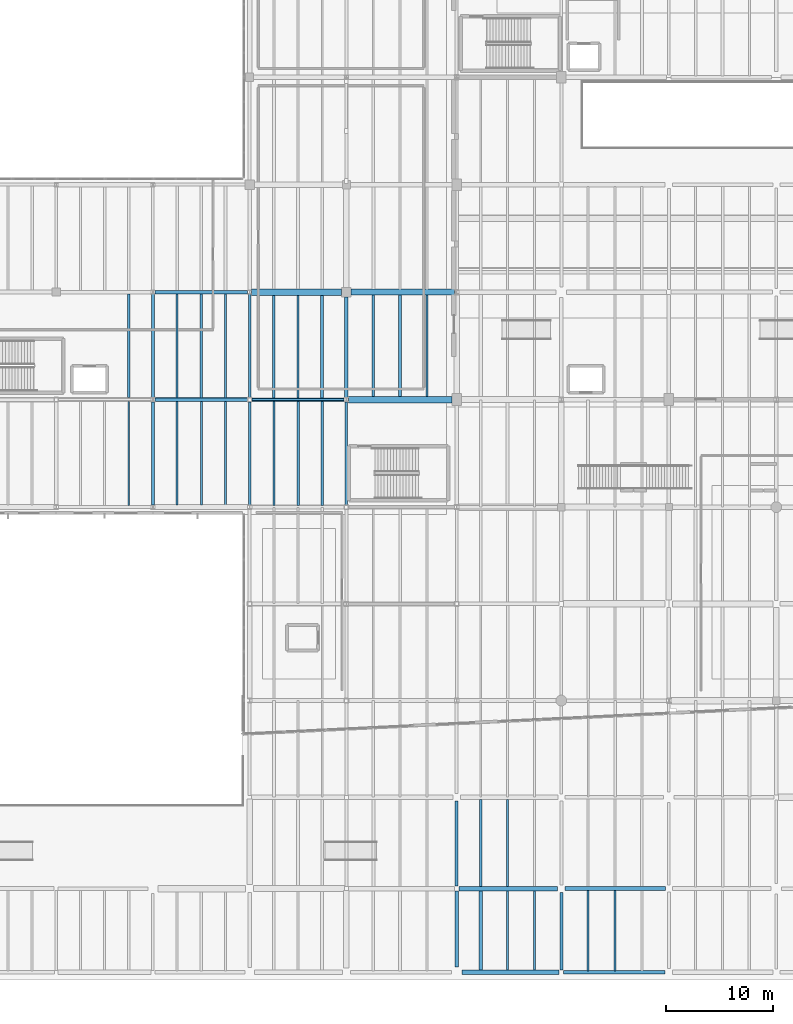
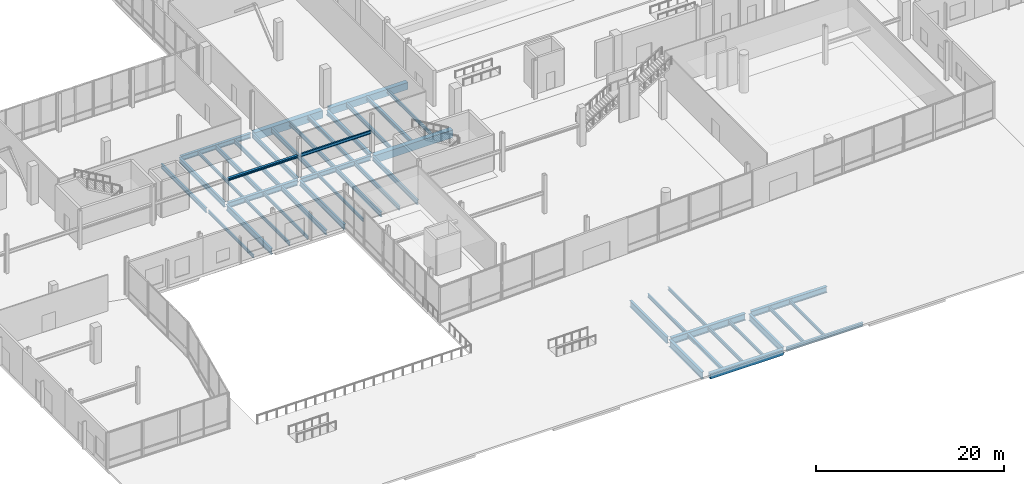
# One storey, part 25 of 88: 45 beams.
"""IFC4 building model written with IfcOpenShell, lengths in metres."""

from ifc_helpers import new_model, si_unit, direction, frame, origin, origin_2d, place, context, subcontext, project, spatial, rectangle, i_section, extrude, material, material_profile, profile_set, type_object, element, save


model = new_model("IFC4")

# Units and contexts
model_context = context("Model", 3, precision=1e-05, world=origin(), true_north=direction((0.0, 1.0)))
body_context = subcontext(model_context, "Body", "Model", "MODEL_VIEW")
ifc_project = project(units=[si_unit("LENGTHUNIT", "METRE"), si_unit("AREAUNIT", "SQUARE_METRE"), si_unit("VOLUMEUNIT", "CUBIC_METRE"), si_unit("PLANEANGLEUNIT", "RADIAN"), si_unit("MASSUNIT", "GRAM", prefix="KILO")], contexts=[model_context])

# Site, building, storey
site_placement = place(None, origin())
site = spatial("IfcSite", under=ifc_project, at=site_placement, CompositionType="ELEMENT")
building_placement = place(site_placement, origin())
building = spatial("IfcBuilding", under=site, at=building_placement, Name="Trimount Lyric Opera House", CompositionType="ELEMENT")
storey_placement = place(building_placement, origin())
storey = spatial("IfcBuildingStorey", under=building, at=storey_placement, Name="L00", CompositionType="ELEMENT", Elevation=0.0)

# Beams
ifc_material_1 = material(Name="Steel ASTM A992 Grade 50", Category="steel")
ifc_material_profile_1 = material_profile(ifc_material_1, i_section(OverallWidth=0.304931640625, OverallDepth=0.9189453125, WebThickness=0.017333984375, FlangeThickness=0.02783203125, FilletRadius=0.02001953125, at=origin_2d()), Name="W36X170")
ifc_profile_set_1 = profile_set([ifc_material_profile_1], Name="Steel ASTM A992 Grade 50")
beam_type_1 = type_object("IfcBeamType", Name="B-03", PredefinedType="BEAM", material=ifc_profile_set_1)
beam_1_placement = place(storey_placement, frame((64.260009765625, 1.219970703125, -0.699462890625), z_axis=(0.0, 1.0, 0.0), x_axis=(-1.0, 0.0, 0.0)))
element("IfcBeam", 1, at=beam_1_placement, inside=storey, type_object=beam_type_1, Name="L00 girder Y-0309", PredefinedType="BEAM", context=body_context, shape_type="SweptSolid", body=[
    extrude(i_section(OverallWidth=0.304931640625, OverallDepth=0.9189453125, WebThickness=0.017333984375, FlangeThickness=0.02783203125, FilletRadius=0.02001953125, at=origin_2d()), origin(), (0.0, 0.0, 1.0), 7.047607421875),
])
ifc_material_2 = material(Name="Steel ASTM A992 Grade 50", Category="steel")
ifc_material_profile_2 = material_profile(ifc_material_2, i_section(OverallWidth=0.40087890625, OverallDepth=0.861083984375, WebThickness=0.019775390625, FlangeThickness=0.032470703125, FilletRadius=0.02001953125, at=origin_2d()), Name="W33X221")
ifc_profile_set_2 = profile_set([ifc_material_profile_2], Name="Steel ASTM A992 Grade 50")
beam_type_2 = type_object("IfcBeamType", Name="B-04", PredefinedType="BEAM", material=ifc_profile_set_2)
beam_2_placement = place(storey_placement, frame((64.470947265625, 8.5, -0.67041015625), z_axis=(1.0, 0.0, 0.0), x_axis=(0.0, 1.0, 0.0)))
element("IfcBeam", 2, at=beam_2_placement, inside=storey, type_object=beam_type_2, Name="L00 girder X-0027", PredefinedType="BEAM", context=body_context, shape_type="SweptSolid", body=[
    extrude(i_section(OverallWidth=0.40087890625, OverallDepth=0.861083984375, WebThickness=0.019775390625, FlangeThickness=0.032470703125, FilletRadius=0.02001953125, at=origin_2d()), origin(), (0.0, 0.0, 1.0), 9.178955078125),
])
ifc_material_3 = material(Name="Steel ASTM A992 Grade 50", Category="steel")
ifc_material_profile_3 = material_profile(ifc_material_3, i_section(OverallWidth=0.2919921875, OverallDepth=0.845947265625, WebThickness=0.015380859375, FlangeThickness=0.0244140625, FilletRadius=0.01806640625, at=origin_2d()), Name="W33X141")
ifc_profile_set_3 = profile_set([ifc_material_profile_3], Name="Steel ASTM A992 Grade 50")
beam_type_3 = type_object("IfcBeamType", Name="B-05", PredefinedType="BEAM", material=ifc_profile_set_3)
beam_3_placement = place(storey_placement, frame((64.260009765625, 8.732421875, -0.6630859375), z_axis=(0.0, 1.0, 0.0), x_axis=(-1.0, 0.0, 0.0)))
element("IfcBeam", 3, at=beam_3_placement, inside=storey, type_object=beam_type_3, Name="L00 girder Y-0310", PredefinedType="BEAM", context=body_context, shape_type="SweptSolid", body=[
    extrude(i_section(OverallWidth=0.2919921875, OverallDepth=0.845947265625, WebThickness=0.015380859375, FlangeThickness=0.0244140625, FilletRadius=0.01806640625, at=origin_2d()), origin(), (0.0, 0.0, 1.0), 7.91748046875),
])
beam_4_placement = place(storey_placement, frame((74.0, 0.952392578125, -0.6630859375), z_axis=(0.0, 1.0, 0.0), x_axis=(-1.0, 0.0, 0.0)))
element("IfcBeam", 4, at=beam_4_placement, inside=storey, type_object=beam_type_3, Name="L00 girder Y-0321", PredefinedType="BEAM", context=body_context, shape_type="SweptSolid", body=[
    extrude(i_section(OverallWidth=0.2919921875, OverallDepth=0.845947265625, WebThickness=0.015380859375, FlangeThickness=0.0244140625, FilletRadius=0.01806640625, at=origin_2d()), origin(), (0.0, 0.0, 1.0), 7.197509765625),
])
ifc_material_4 = material(Name="Steel ASTM A992 Grade 50", Category="steel")
ifc_material_profile_4 = material_profile(ifc_material_4, i_section(OverallWidth=0.382080078125, OverallDepth=0.779052734375, WebThickness=0.01806640625, FlangeThickness=0.0302734375, FilletRadius=0.01904296875, at=origin_2d()), Name="W30X191")
ifc_profile_set_4 = profile_set([ifc_material_profile_4], Name="Steel ASTM A992 Grade 50")
beam_type_4 = type_object("IfcBeamType", Name="B-06", PredefinedType="BEAM", material=ifc_profile_set_4)
beam_5_placement = place(storey_placement, frame((74.35009765625, 8.5, -0.62939453125), z_axis=(1.0, 0.0, 0.0), x_axis=(0.0, 1.0, 0.0)))
element("IfcBeam", 5, at=beam_5_placement, inside=storey, type_object=beam_type_4, Name="L00 girder X-0028", PredefinedType="BEAM", context=body_context, shape_type="SweptSolid", body=[
    extrude(i_section(OverallWidth=0.382080078125, OverallDepth=0.779052734375, WebThickness=0.01806640625, FlangeThickness=0.0302734375, FilletRadius=0.01904296875, at=origin_2d()), origin(), (0.0, 0.0, 1.0), 9.324951171875),
])
ifc_material_5 = material(Name="Steel ASTM A992 Grade 50", Category="steel")
ifc_material_profile_5 = material_profile(ifc_material_5, i_section(OverallWidth=0.26708984375, OverallDepth=0.761962890625, WebThickness=0.014404296875, FlangeThickness=0.021484375, FilletRadius=0.01708984375, at=origin_2d()), Name="W30X116")
ifc_profile_set_5 = profile_set([ifc_material_profile_5], Name="Steel ASTM A992 Grade 50")
beam_type_5 = type_object("IfcBeamType", Name="B-07", PredefinedType="BEAM", material=ifc_profile_set_5)
beam_6_placement = place(storey_placement, frame((36.0, 44.203125, -0.73095703125), z_axis=(0.0, 1.0, 0.0), x_axis=(-1.0, 0.0, 0.0)))
element("IfcBeam", 6, at=beam_6_placement, inside=storey, type_object=beam_type_5, Name="L00 girder Y-0278", PredefinedType="BEAM", context=body_context, shape_type="SweptSolid", body=[
    extrude(i_section(OverallWidth=0.26708984375, OverallDepth=0.761962890625, WebThickness=0.014404296875, FlangeThickness=0.021484375, FilletRadius=0.01708984375, at=origin_2d()), origin(), (0.0, 0.0, 1.0), 9.58837890625),
])
ifc_material_6 = material(Name="Steel ASTM A992 Grade 50", Category="steel")
ifc_material_profile_6 = material_profile(ifc_material_6, i_section(OverallWidth=0.35595703125, OverallDepth=0.700927734375, WebThickness=0.016845703125, FlangeThickness=0.02734375, FilletRadius=0.01806640625, at=origin_2d()), Name="W27X161")
ifc_profile_set_6 = profile_set([ifc_material_profile_6], Name="Steel ASTM A992 Grade 50")
beam_type_6 = type_object("IfcBeamType", Name="B-08", PredefinedType="BEAM", material=ifc_profile_set_6)
beam_7_placement = place(storey_placement, frame((36.202880859375, 54.0, -0.700439453125), z_axis=(1.0, 0.0, 0.0), x_axis=(0.0, 1.0, 0.0)))
element("IfcBeam", 7, at=beam_7_placement, inside=storey, type_object=beam_type_6, Name="L00 girder X-0107", PredefinedType="BEAM", context=body_context, shape_type="SweptSolid", body=[
    extrude(i_section(OverallWidth=0.35595703125, OverallDepth=0.700927734375, WebThickness=0.016845703125, FlangeThickness=0.02734375, FilletRadius=0.01806640625, at=origin_2d()), origin(), (0.0, 0.0, 1.0), 8.593994140625),
])
ifc_material_7 = material(Name="Steel ASTM A992 Grade 50", Category="steel")
ifc_material_profile_7 = material_profile(ifc_material_7, i_section(OverallWidth=0.25390625, OverallDepth=0.68798828125, WebThickness=0.01318359375, FlangeThickness=0.02099609375, FilletRadius=0.01611328125, at=origin_2d()), Name="W27X102")
ifc_profile_set_7 = profile_set([ifc_material_profile_7], Name="Steel ASTM A992 Grade 50")
beam_type_7 = type_object("IfcBeamType", Name="B-09", PredefinedType="BEAM", material=ifc_profile_set_7)
beam_8_placement = place(storey_placement, frame((36.0, 54.20849609375, -0.694091796875), z_axis=(0.0, 1.0, 0.0), x_axis=(-1.0, 0.0, 0.0)))
element("IfcBeam", 8, at=beam_8_placement, inside=storey, type_object=beam_type_7, Name="L00 girder Y-0279", PredefinedType="BEAM", context=body_context, shape_type="SweptSolid", body=[
    extrude(i_section(OverallWidth=0.25390625, OverallDepth=0.68798828125, WebThickness=0.01318359375, FlangeThickness=0.02099609375, FilletRadius=0.01611328125, at=origin_2d()), origin(), (0.0, 0.0, 1.0), 9.613525390625),
])
beam_9_placement = place(storey_placement, frame((45.0, 44.20849609375, -0.694091796875), z_axis=(0.0, 1.0, 0.0), x_axis=(-1.0, 0.0, 0.0)))
element("IfcBeam", 9, at=beam_9_placement, inside=storey, type_object=beam_type_7, Name="L00 girder Y-0288", PredefinedType="BEAM", context=body_context, shape_type="SweptSolid", body=[
    extrude(i_section(OverallWidth=0.25390625, OverallDepth=0.68798828125, WebThickness=0.01318359375, FlangeThickness=0.02099609375, FilletRadius=0.01611328125, at=origin_2d()), origin(), (0.0, 0.0, 1.0), 9.58837890625),
])
ifc_material_8 = material(Name="Steel ASTM A992 Grade 50", Category="steel")
ifc_material_profile_8 = material_profile(ifc_material_8, i_section(OverallWidth=0.327880859375, OverallDepth=0.626953125, WebThickness=0.0166015625, FlangeThickness=0.027587890625, FilletRadius=0.01611328125, at=origin_2d()), Name="W24X146")
ifc_profile_set_8 = profile_set([ifc_material_profile_8], Name="Steel ASTM A992 Grade 50")
beam_type_8 = type_object("IfcBeamType", Name="B-10", PredefinedType="BEAM", material=ifc_profile_set_8)
beam_10_placement = place(storey_placement, frame((45.203125, 54.0, -0.66357421875), z_axis=(1.0, 0.0, 0.0), x_axis=(0.0, 1.0, 0.0)))
element("IfcBeam", 10, at=beam_10_placement, inside=storey, type_object=beam_type_8, Name="L00 girder X-0108", PredefinedType="BEAM", context=body_context, shape_type="SweptSolid", body=[
    extrude(i_section(OverallWidth=0.327880859375, OverallDepth=0.626953125, WebThickness=0.0166015625, FlangeThickness=0.027587890625, FilletRadius=0.01611328125, at=origin_2d()), origin(), (0.0, 0.0, 1.0), 8.593994140625),
])
beam_11_placement = place(storey_placement, frame((36.18408203125, 64.0, -0.66357421875), z_axis=(1.0, 0.0, 0.0), x_axis=(0.0, 1.0, 0.0)))
element("IfcBeam", 11, at=beam_11_placement, inside=storey, type_object=beam_type_8, Name="L00 girder X-0126", PredefinedType="BEAM", context=body_context, shape_type="SweptSolid", body=[
    extrude(i_section(OverallWidth=0.327880859375, OverallDepth=0.626953125, WebThickness=0.0166015625, FlangeThickness=0.027587890625, FilletRadius=0.01611328125, at=origin_2d()), origin(), (0.0, 0.0, 1.0), 8.62939453125),
])
ifc_material_9 = material(Name="Steel ASTM A992 Grade 50", Category="steel")
ifc_material_profile_9 = material_profile(ifc_material_9, i_section(OverallWidth=0.22998046875, OverallDepth=0.616943359375, WebThickness=0.01318359375, FlangeThickness=0.022216796875, FilletRadius=0.013916015625, at=origin_2d()), Name="W24X94")
ifc_profile_set_9 = profile_set([ifc_material_profile_9], Name="Steel ASTM A992 Grade 50")
beam_type_9 = type_object("IfcBeamType", Name="B-11", PredefinedType="BEAM", material=ifc_profile_set_9)
beam_12_placement = place(storey_placement, frame((45.0, 54.203125, -0.658447265625), z_axis=(0.0, 1.0, 0.0), x_axis=(-1.0, 0.0, 0.0)))
element("IfcBeam", 12, at=beam_12_placement, inside=storey, type_object=beam_type_9, Name="L00 girder Y-0289", PredefinedType="BEAM", context=body_context, shape_type="SweptSolid", body=[
    extrude(i_section(OverallWidth=0.22998046875, OverallDepth=0.616943359375, WebThickness=0.01318359375, FlangeThickness=0.022216796875, FilletRadius=0.013916015625, at=origin_2d()), origin(), (0.0, 0.0, 1.0), 9.61279296875),
])
beam_13_placement = place(storey_placement, frame((54.0, 44.203125, -0.658447265625), z_axis=(0.0, 1.0, 0.0), x_axis=(-1.0, 0.0, 0.0)))
element("IfcBeam", 13, at=beam_13_placement, inside=storey, type_object=beam_type_9, Name="L00 girder Y-0301", PredefinedType="BEAM", context=body_context, shape_type="SweptSolid", body=[
    extrude(i_section(OverallWidth=0.22998046875, OverallDepth=0.616943359375, WebThickness=0.01318359375, FlangeThickness=0.022216796875, FilletRadius=0.013916015625, at=origin_2d()), origin(), (0.0, 0.0, 1.0), 9.58837890625),
])
ifc_material_10 = material(Name="Steel ASTM A992 Grade 50", Category="steel")
ifc_material_profile_10 = material_profile(ifc_material_10, i_section(OverallWidth=0.31201171875, OverallDepth=0.5458984375, WebThickness=0.013916015625, FlangeThickness=0.022216796875, FilletRadius=0.014892578125, at=origin_2d()), Name="W21X111")
ifc_profile_set_10 = profile_set([ifc_material_profile_10], Name="Steel ASTM A992 Grade 50")
beam_type_10 = type_object("IfcBeamType", Name="B-12", PredefinedType="BEAM", material=ifc_profile_set_10)
beam_14_placement = place(storey_placement, frame((54.0, 54.20849609375, -0.623046875), z_axis=(0.0, 1.0, 0.0), x_axis=(-1.0, 0.0, 0.0)))
element("IfcBeam", 14, at=beam_14_placement, inside=storey, type_object=beam_type_10, Name="L00 girder Y-0302", PredefinedType="BEAM", context=body_context, shape_type="SweptSolid", body=[
    extrude(i_section(OverallWidth=0.31201171875, OverallDepth=0.5458984375, WebThickness=0.013916015625, FlangeThickness=0.022216796875, FilletRadius=0.014892578125, at=origin_2d()), origin(), (0.0, 0.0, 1.0), 9.341552734375),
])
ifc_material_11 = material(Name="Concrete C40/50", Category="concrete")
ifc_material_profile_11 = material_profile(ifc_material_11, rectangle(XDim=0.60009765625, YDim=1.0, at=origin_2d()), Name="RC600X1000")
ifc_profile_set_11 = profile_set([ifc_material_profile_11], Name="Concrete C40/50")
beam_type_11 = type_object("IfcBeamType", Name="B-13", PredefinedType="BEAM", material=ifc_profile_set_11)
beam_15_placement = place(storey_placement, frame((54.202880859375, 54.0, -0.89990234375), z_axis=(1.0, 0.0, 0.0), x_axis=(0.0, 1.0, 0.0)))
element("IfcBeam", 15, at=beam_15_placement, inside=storey, type_object=beam_type_11, Name="L00 girder X-0109", PredefinedType="BEAM", context=body_context, shape_type="SweptSolid", body=[
    extrude(rectangle(XDim=0.60009765625, YDim=1.0, at=origin_2d()), origin(), (0.0, 0.0, 1.0), 9.607177734375),
])
beam_16_placement = place(storey_placement, frame((45.1865234375, 64.0, -0.85009765625), z_axis=(1.0, 0.0, 0.0), x_axis=(0.0, 1.0, 0.0)))
element("IfcBeam", 16, at=beam_16_placement, inside=storey, type_object=beam_type_11, Name="L00 girder X-0127", PredefinedType="BEAM", context=body_context, shape_type="SweptSolid", body=[
    extrude(rectangle(XDim=0.60009765625, YDim=1.0, at=origin_2d()), origin(), (0.0, 0.0, 1.0), 8.363525390625),
])
ifc_material_12 = material(Name="Concrete C40/50", Category="concrete")
ifc_material_profile_12 = material_profile(ifc_material_12, rectangle(XDim=0.550048828125, YDim=0.89990234375, at=origin_2d()), Name="RC550X900")
ifc_profile_set_12 = profile_set([ifc_material_profile_12], Name="Concrete C40/50")
beam_type_12 = type_object("IfcBeamType", Name="B-14", PredefinedType="BEAM", material=ifc_profile_set_12)
beam_17_placement = place(storey_placement, frame((54.449951171875, 64.0, -0.85009765625), z_axis=(1.0, 0.0, 0.0), x_axis=(0.0, 1.0, 0.0)))
element("IfcBeam", 17, at=beam_17_placement, inside=storey, type_object=beam_type_12, Name="L00 girder X-0128", PredefinedType="BEAM", context=body_context, shape_type="SweptSolid", body=[
    extrude(rectangle(XDim=0.550048828125, YDim=0.89990234375, at=origin_2d()), origin(), (0.0, 0.0, 1.0), 9.59912109375),
])
ifc_material_13 = material(Name="Steel ASTM A992 Grade 50", Category="steel")
ifc_material_profile_13 = material_profile(ifc_material_13, i_section(OverallWidth=0.22802734375, OverallDepth=0.60205078125, WebThickness=0.010498046875, FlangeThickness=0.014892578125, FilletRadius=0.012939453125, at=origin_2d()), Name="W24X68")
ifc_profile_set_13 = profile_set([ifc_material_profile_13], Name="Steel ASTM A992 Grade 50")
beam_type_13 = type_object("IfcBeamType", Name="J-01", PredefinedType="BEAM", material=ifc_profile_set_13)
beam_18_placement = place(storey_placement, frame((33.75, 54.18701171875, -0.65087890625), z_axis=(0.0, 1.0, 0.0), x_axis=(-1.0, 0.0, 0.0)))
element("IfcBeam", 18, at=beam_18_placement, inside=storey, type_object=beam_type_13, Name="L00 composite floor joist 0088", PredefinedType="BEAM", context=body_context, shape_type="SweptSolid", body=[
    extrude(i_section(OverallWidth=0.22802734375, OverallDepth=0.60205078125, WebThickness=0.010498046875, FlangeThickness=0.014892578125, FilletRadius=0.012939453125, at=origin_2d()), origin(), (0.0, 0.0, 1.0), 9.638916015625),
])
beam_19_placement = place(storey_placement, frame((42.75, 44.220947265625, -0.65087890625), z_axis=(0.0, 1.0, 0.0), x_axis=(-1.0, 0.0, 0.0)))
element("IfcBeam", 19, at=beam_19_placement, inside=storey, type_object=beam_type_13, Name="L00 composite floor joist 0103", PredefinedType="BEAM", context=body_context, shape_type="SweptSolid", body=[
    extrude(i_section(OverallWidth=0.22802734375, OverallDepth=0.60205078125, WebThickness=0.010498046875, FlangeThickness=0.014892578125, FilletRadius=0.012939453125, at=origin_2d()), origin(), (0.0, 0.0, 1.0), 9.60498046875),
])
for number, where, z_axis, x_axis, name in (
    (20, (40.5, 54.174072265625, -0.65087890625), (0.0, 1.0, 0.0), (-1.0, 0.0, 0.0), "L00 composite floor joist 0105"),
    (21, (49.5, 44.174072265625, -0.65087890625), (0.0, 1.0, 0.0), (-1.0, 0.0, 0.0), "L00 composite floor joist 0131"),
):
    element("IfcBeam", number, at=place(storey_placement, frame(where, z_axis=z_axis, x_axis=x_axis)), inside=storey, type_object=beam_type_13, Name=name, PredefinedType="BEAM", context=body_context, shape_type="SweptSolid", body=[
        extrude(i_section(OverallWidth=0.22802734375, OverallDepth=0.60205078125, WebThickness=0.010498046875, FlangeThickness=0.014892578125, FilletRadius=0.012939453125, at=origin_2d()), origin(), (0.0, 0.0, 1.0), 9.666015625),
    ])
beam_20_placement = place(storey_placement, frame((47.25, 54.159912109375, -0.65087890625), z_axis=(0.0, 1.0, 0.0), x_axis=(-1.0, 0.0, 0.0)))
element("IfcBeam", 22, at=beam_20_placement, inside=storey, type_object=beam_type_13, Name="L00 composite floor joist 0133", PredefinedType="BEAM", context=body_context, shape_type="SweptSolid", body=[
    extrude(i_section(OverallWidth=0.22802734375, OverallDepth=0.60205078125, WebThickness=0.010498046875, FlangeThickness=0.014892578125, FilletRadius=0.012939453125, at=origin_2d()), origin(), (0.0, 0.0, 1.0), 9.544189453125),
])
ifc_material_14 = material(Name="Steel ASTM A992 Grade 50", Category="steel")
ifc_material_profile_14 = material_profile(ifc_material_14, i_section(OverallWidth=0.2099609375, OverallDepth=0.532958984375, WebThickness=0.01025390625, FlangeThickness=0.015625, FilletRadius=0.012939453125, at=origin_2d()), Name="W21X62")
ifc_profile_set_14 = profile_set([ifc_material_profile_14], Name="Steel ASTM A992 Grade 50")
beam_type_14 = type_object("IfcBeamType", Name="J-02", PredefinedType="BEAM", material=ifc_profile_set_14)
for number, where, z_axis, x_axis, name in (
    (23, (42.75, 54.174072265625, -0.616455078125), (0.0, 1.0, 0.0), (-1.0, 0.0, 0.0), "L00 composite floor joist 0106"),
    (24, (51.75, 44.174072265625, -0.616455078125), (0.0, 1.0, 0.0), (-1.0, 0.0, 0.0), "L00 composite floor joist 0132"),
):
    element("IfcBeam", number, at=place(storey_placement, frame(where, z_axis=z_axis, x_axis=x_axis)), inside=storey, type_object=beam_type_14, Name=name, PredefinedType="BEAM", context=body_context, shape_type="SweptSolid", body=[
        extrude(i_section(OverallWidth=0.2099609375, OverallDepth=0.532958984375, WebThickness=0.01025390625, FlangeThickness=0.015625, FilletRadius=0.012939453125, at=origin_2d()), origin(), (0.0, 0.0, 1.0), 9.666015625),
    ])
beam_21_placement = place(storey_placement, frame((49.5, 54.159912109375, -0.616455078125), z_axis=(0.0, 1.0, 0.0), x_axis=(-1.0, 0.0, 0.0)))
element("IfcBeam", 25, at=beam_21_placement, inside=storey, type_object=beam_type_14, Name="L00 composite floor joist 0134", PredefinedType="BEAM", context=body_context, shape_type="SweptSolid", body=[
    extrude(i_section(OverallWidth=0.2099609375, OverallDepth=0.532958984375, WebThickness=0.01025390625, FlangeThickness=0.015625, FilletRadius=0.012939453125, at=origin_2d()), origin(), (0.0, 0.0, 1.0), 9.544189453125),
])
beam_22_placement = place(storey_placement, frame((56.5, 54.2958984375, -0.616455078125), z_axis=(0.0, 1.0, 0.0), x_axis=(-1.0, 0.0, 0.0)))
element("IfcBeam", 26, at=beam_22_placement, inside=storey, type_object=beam_type_14, Name="L00 composite floor joist 0169", PredefinedType="BEAM", context=body_context, shape_type="SweptSolid", body=[
    extrude(i_section(OverallWidth=0.2099609375, OverallDepth=0.532958984375, WebThickness=0.01025390625, FlangeThickness=0.015625, FilletRadius=0.012939453125, at=origin_2d()), origin(), (0.0, 0.0, 1.0), 9.43310546875),
])
ifc_material_15 = material(Name="Steel ASTM A992 Grade 50", Category="steel")
ifc_material_profile_15 = material_profile(ifc_material_15, i_section(OverallWidth=0.281982421875, OverallDepth=0.467041015625, WebThickness=0.01220703125, FlangeThickness=0.01953125, FilletRadius=0.012939453125, at=origin_2d()), Name="W18X86")
ifc_profile_set_15 = profile_set([ifc_material_profile_15], Name="Steel ASTM A992 Grade 50")
beam_type_15 = type_object("IfcBeamType", Name="J-03", PredefinedType="BEAM", material=ifc_profile_set_15)
beam_23_placement = place(storey_placement, frame((51.75, 54.159912109375, -0.58349609375), z_axis=(0.0, 1.0, 0.0), x_axis=(-1.0, 0.0, 0.0)))
element("IfcBeam", 27, at=beam_23_placement, inside=storey, type_object=beam_type_15, Name="L00 composite floor joist 0135", PredefinedType="BEAM", context=body_context, shape_type="SweptSolid", body=[
    extrude(i_section(OverallWidth=0.281982421875, OverallDepth=0.467041015625, WebThickness=0.01220703125, FlangeThickness=0.01953125, FilletRadius=0.012939453125, at=origin_2d()), origin(), (0.0, 0.0, 1.0), 9.544189453125),
])
beam_24_placement = place(storey_placement, frame((59.0, 54.2958984375, -0.58349609375), z_axis=(0.0, 1.0, 0.0), x_axis=(-1.0, 0.0, 0.0)))
element("IfcBeam", 28, at=beam_24_placement, inside=storey, type_object=beam_type_15, Name="L00 composite floor joist 0170", PredefinedType="BEAM", context=body_context, shape_type="SweptSolid", body=[
    extrude(i_section(OverallWidth=0.281982421875, OverallDepth=0.467041015625, WebThickness=0.01220703125, FlangeThickness=0.01953125, FilletRadius=0.012939453125, at=origin_2d()), origin(), (0.0, 0.0, 1.0), 9.43310546875),
])
beam_25_placement = place(storey_placement, frame((66.5, 0.94091796875, -0.473388671875), z_axis=(0.0, 1.0, 0.0), x_axis=(-1.0, 0.0, 0.0)))
element("IfcBeam", 29, at=beam_25_placement, inside=storey, type_object=beam_type_15, Name="L00 composite floor joist 0184", PredefinedType="BEAM", context=body_context, shape_type="SweptSolid", body=[
    extrude(i_section(OverallWidth=0.281982421875, OverallDepth=0.467041015625, WebThickness=0.01220703125, FlangeThickness=0.01953125, FilletRadius=0.012939453125, at=origin_2d()), origin(), (0.0, 0.0, 1.0), 7.362548828125),
])
ifc_material_16 = material(Name="Steel ASTM A992 Grade 50", Category="steel")
ifc_material_profile_16 = material_profile(ifc_material_16, i_section(OverallWidth=0.19091796875, OverallDepth=0.45703125, WebThickness=0.009033203125, FlangeThickness=0.014404296875, FilletRadius=0.010986328125, at=origin_2d()), Name="W18X50")
ifc_profile_set_16 = profile_set([ifc_material_profile_16], Name="Steel ASTM A992 Grade 50")
beam_type_16 = type_object("IfcBeamType", Name="J-04", PredefinedType="BEAM", material=ifc_profile_set_16)
beam_26_placement = place(storey_placement, frame((61.5, 54.2958984375, -0.57861328125), z_axis=(0.0, 1.0, 0.0), x_axis=(-1.0, 0.0, 0.0)))
element("IfcBeam", 30, at=beam_26_placement, inside=storey, type_object=beam_type_16, Name="L00 composite floor joist 0171", PredefinedType="BEAM", context=body_context, shape_type="SweptSolid", body=[
    extrude(i_section(OverallWidth=0.19091796875, OverallDepth=0.45703125, WebThickness=0.009033203125, FlangeThickness=0.014404296875, FilletRadius=0.010986328125, at=origin_2d()), origin(), (0.0, 0.0, 1.0), 9.43310546875),
])
beam_27_placement = place(storey_placement, frame((69.0, 0.94091796875, -0.468505859375), z_axis=(0.0, 1.0, 0.0), x_axis=(-1.0, 0.0, 0.0)))
element("IfcBeam", 31, at=beam_27_placement, inside=storey, type_object=beam_type_16, Name="L00 composite floor joist 0185", PredefinedType="BEAM", context=body_context, shape_type="SweptSolid", body=[
    extrude(i_section(OverallWidth=0.19091796875, OverallDepth=0.45703125, WebThickness=0.009033203125, FlangeThickness=0.014404296875, FilletRadius=0.010986328125, at=origin_2d()), origin(), (0.0, 0.0, 1.0), 7.362548828125),
])
beam_28_placement = place(storey_placement, frame((66.5, 8.696533203125, -0.468505859375), z_axis=(0.0, 1.0, 0.0), x_axis=(-1.0, 0.0, 0.0)))
element("IfcBeam", 32, at=beam_28_placement, inside=storey, type_object=beam_type_16, Name="L00 composite floor joist 0187", PredefinedType="BEAM", context=body_context, shape_type="SweptSolid", body=[
    extrude(i_section(OverallWidth=0.19091796875, OverallDepth=0.45703125, WebThickness=0.009033203125, FlangeThickness=0.014404296875, FilletRadius=0.010986328125, at=origin_2d()), origin(), (0.0, 0.0, 1.0), 8.116455078125),
])
beam_29_placement = place(storey_placement, frame((76.5, 0.85693359375, -0.468505859375), z_axis=(0.0, 1.0, 0.0), x_axis=(-1.0, 0.0, 0.0)))
element("IfcBeam", 33, at=beam_29_placement, inside=storey, type_object=beam_type_16, Name="L00 composite floor joist 0214", PredefinedType="BEAM", context=body_context, shape_type="SweptSolid", body=[
    extrude(i_section(OverallWidth=0.19091796875, OverallDepth=0.45703125, WebThickness=0.009033203125, FlangeThickness=0.014404296875, FilletRadius=0.010986328125, at=origin_2d()), origin(), (0.0, 0.0, 1.0), 7.4560546875),
])
ifc_material_17 = material(Name="Steel ASTM A992 Grade 50", Category="steel")
ifc_material_profile_17 = material_profile(ifc_material_17, i_section(OverallWidth=0.180908203125, OverallDepth=0.4169921875, WebThickness=0.010986328125, FlangeThickness=0.018310546875, FilletRadius=0.010986328125, at=origin_2d()), Name="W16X57")
ifc_profile_set_17 = profile_set([ifc_material_profile_17], Name="Steel ASTM A992 Grade 50")
beam_type_17 = type_object("IfcBeamType", Name="J-05", PredefinedType="BEAM", material=ifc_profile_set_17)
beam_30_placement = place(storey_placement, frame((38.25, 44.220947265625, -0.55859375), z_axis=(0.0, 1.0, 0.0), x_axis=(-1.0, 0.0, 0.0)))
element("IfcBeam", 34, at=beam_30_placement, inside=storey, type_object=beam_type_17, Name="L00 composite floor joist 0101", PredefinedType="BEAM", context=body_context, shape_type="SweptSolid", body=[
    extrude(i_section(OverallWidth=0.180908203125, OverallDepth=0.4169921875, WebThickness=0.010986328125, FlangeThickness=0.018310546875, FilletRadius=0.010986328125, at=origin_2d()), origin(), (0.0, 0.0, 1.0), 9.60498046875),
])
beam_31_placement = place(storey_placement, frame((71.5, 0.94091796875, -0.448486328125), z_axis=(0.0, 1.0, 0.0), x_axis=(-1.0, 0.0, 0.0)))
element("IfcBeam", 35, at=beam_31_placement, inside=storey, type_object=beam_type_17, Name="L00 composite floor joist 0186", PredefinedType="BEAM", context=body_context, shape_type="SweptSolid", body=[
    extrude(i_section(OverallWidth=0.180908203125, OverallDepth=0.4169921875, WebThickness=0.010986328125, FlangeThickness=0.018310546875, FilletRadius=0.010986328125, at=origin_2d()), origin(), (0.0, 0.0, 1.0), 7.362548828125),
])
beam_32_placement = place(storey_placement, frame((69.0, 8.696533203125, -0.448486328125), z_axis=(0.0, 1.0, 0.0), x_axis=(-1.0, 0.0, 0.0)))
element("IfcBeam", 36, at=beam_32_placement, inside=storey, type_object=beam_type_17, Name="L00 composite floor joist 0188", PredefinedType="BEAM", context=body_context, shape_type="SweptSolid", body=[
    extrude(i_section(OverallWidth=0.180908203125, OverallDepth=0.4169921875, WebThickness=0.010986328125, FlangeThickness=0.018310546875, FilletRadius=0.010986328125, at=origin_2d()), origin(), (0.0, 0.0, 1.0), 8.116455078125),
])
beam_33_placement = place(storey_placement, frame((79.0, 0.85693359375, -0.448486328125), z_axis=(0.0, 1.0, 0.0), x_axis=(-1.0, 0.0, 0.0)))
element("IfcBeam", 37, at=beam_33_placement, inside=storey, type_object=beam_type_17, Name="L00 composite floor joist 0215", PredefinedType="BEAM", context=body_context, shape_type="SweptSolid", body=[
    extrude(i_section(OverallWidth=0.180908203125, OverallDepth=0.4169921875, WebThickness=0.010986328125, FlangeThickness=0.018310546875, FilletRadius=0.010986328125, at=origin_2d()), origin(), (0.0, 0.0, 1.0), 7.4560546875),
])
ifc_material_18 = material(Name="Steel ASTM A992 Grade 50", Category="steel")
ifc_material_profile_18 = material_profile(ifc_material_18, i_section(OverallWidth=0.177978515625, OverallDepth=0.404052734375, WebThickness=0.007568359375, FlangeThickness=0.010986328125, FilletRadius=0.010009765625, at=origin_2d()), Name="W16X36")
ifc_profile_set_18 = profile_set([ifc_material_profile_18], Name="Steel ASTM A992 Grade 50")
beam_type_18 = type_object("IfcBeamType", Name="J-06", PredefinedType="BEAM", material=ifc_profile_set_18)
beam_34_placement = place(storey_placement, frame((33.75, 44.136962890625, -0.552001953125), z_axis=(0.0, 1.0, 0.0), x_axis=(-1.0, 0.0, 0.0)))
element("IfcBeam", 38, at=beam_34_placement, inside=storey, type_object=beam_type_18, Name="L00 composite floor joist 0087", PredefinedType="BEAM", context=body_context, shape_type="SweptSolid", body=[
    extrude(i_section(OverallWidth=0.177978515625, OverallDepth=0.404052734375, WebThickness=0.007568359375, FlangeThickness=0.010986328125, FilletRadius=0.010009765625, at=origin_2d()), origin(), (0.0, 0.0, 1.0), 9.676025390625),
])
beam_35_placement = place(storey_placement, frame((40.5, 44.220947265625, -0.552001953125), z_axis=(0.0, 1.0, 0.0), x_axis=(-1.0, 0.0, 0.0)))
element("IfcBeam", 39, at=beam_35_placement, inside=storey, type_object=beam_type_18, Name="L00 composite floor joist 0102", PredefinedType="BEAM", context=body_context, shape_type="SweptSolid", body=[
    extrude(i_section(OverallWidth=0.177978515625, OverallDepth=0.404052734375, WebThickness=0.007568359375, FlangeThickness=0.010986328125, FilletRadius=0.010009765625, at=origin_2d()), origin(), (0.0, 0.0, 1.0), 9.60498046875),
])
for number, where, z_axis, x_axis, name in (
    (40, (38.25, 54.174072265625, -0.552001953125), (0.0, 1.0, 0.0), (-1.0, 0.0, 0.0), "L00 composite floor joist 0104"),
    (41, (47.25, 44.174072265625, -0.552001953125), (0.0, 1.0, 0.0), (-1.0, 0.0, 0.0), "L00 composite floor joist 0130"),
):
    element("IfcBeam", number, at=place(storey_placement, frame(where, z_axis=z_axis, x_axis=x_axis)), inside=storey, type_object=beam_type_18, Name=name, PredefinedType="BEAM", context=body_context, shape_type="SweptSolid", body=[
        extrude(i_section(OverallWidth=0.177978515625, OverallDepth=0.404052734375, WebThickness=0.007568359375, FlangeThickness=0.010986328125, FilletRadius=0.010009765625, at=origin_2d()), origin(), (0.0, 0.0, 1.0), 9.666015625),
    ])
ifc_material_19 = material(Name="Steel ASTM A992 Grade 50", Category="steel")
ifc_material_profile_19 = material_profile(ifc_material_19, i_section(OverallWidth=0.304931640625, OverallDepth=0.306884765625, WebThickness=0.010009765625, FlangeThickness=0.015380859375, FilletRadius=0.012939453125, at=origin_2d()), Name="W12X65")
ifc_profile_set_19 = profile_set([ifc_material_profile_19], Name="Steel ASTM A992 Grade 50")
beam_type_19 = type_object("IfcBeamType", Name="LN-01", PredefinedType="LINTEL", material=ifc_profile_set_19)
beam_36_placement = place(storey_placement, frame((36.202880859375, 54.0, 2.64990234375), z_axis=(1.0, 0.0, 0.0), x_axis=(0.0, 1.0, 0.0)))
element("IfcBeam", 42, at=beam_36_placement, inside=storey, type_object=beam_type_19, Name="L00 interior portal lintel 15", PredefinedType="LINTEL", context=body_context, shape_type="SweptSolid", body=[
    extrude(i_section(OverallWidth=0.304931640625, OverallDepth=0.306884765625, WebThickness=0.010009765625, FlangeThickness=0.015380859375, FilletRadius=0.012939453125, at=origin_2d()), origin(), (0.0, 0.0, 1.0), 8.593994140625),
])
ifc_material_20 = material(Name="Steel ASTM A992 Grade 50", Category="steel")
ifc_material_profile_20 = material_profile(ifc_material_20, i_section(OverallWidth=0.180908203125, OverallDepth=0.4169921875, WebThickness=0.010986328125, FlangeThickness=0.018310546875, FilletRadius=0.010986328125, at=origin_2d()), Name="W16X57")
ifc_profile_set_20 = profile_set([ifc_material_profile_20], Name="Steel ASTM A992 Grade 50")
beam_type_20 = type_object("IfcBeamType", Name="LN-02", PredefinedType="LINTEL", material=ifc_profile_set_20)
beam_37_placement = place(storey_placement, frame((45.203125, 54.0, 2.64990234375), z_axis=(1.0, 0.0, 0.0), x_axis=(0.0, 1.0, 0.0)))
element("IfcBeam", 43, at=beam_37_placement, inside=storey, type_object=beam_type_20, Name="L00 interior portal lintel 16", PredefinedType="LINTEL", context=body_context, shape_type="SweptSolid", body=[
    extrude(i_section(OverallWidth=0.180908203125, OverallDepth=0.4169921875, WebThickness=0.010986328125, FlangeThickness=0.018310546875, FilletRadius=0.010986328125, at=origin_2d()), origin(), (0.0, 0.0, 1.0), 8.593994140625),
])
ifc_material_21 = material(Name="Steel ASTM A992 Grade 50", Category="steel")
ifc_material_profile_21 = material_profile(ifc_material_21, i_section(OverallWidth=0.281982421875, OverallDepth=0.467041015625, WebThickness=0.01220703125, FlangeThickness=0.01953125, FilletRadius=0.012939453125, at=origin_2d()), Name="W18X86")
ifc_profile_set_21 = profile_set([ifc_material_profile_21], Name="Steel ASTM A992 Grade 50")
beam_type_21 = type_object("IfcBeamType", Name="SP-01", PredefinedType="SPANDREL", material=ifc_profile_set_21)
beam_38_placement = place(storey_placement, frame((74.2109375, 0.719970703125, -0.473388671875), z_axis=(1.0, 0.0, 0.0), x_axis=(0.0, 1.0, 0.0)))
element("IfcBeam", 44, at=beam_38_placement, inside=storey, type_object=beam_type_21, Name="L00 girder X-0009", PredefinedType="SPANDREL", context=body_context, shape_type="SweptSolid", body=[
    extrude(i_section(OverallWidth=0.281982421875, OverallDepth=0.467041015625, WebThickness=0.01220703125, FlangeThickness=0.01953125, FilletRadius=0.012939453125, at=origin_2d()), origin(), (0.0, 0.0, 1.0), 9.43896484375),
])
ifc_material_22 = material(Name="Concrete C40/50", Category="concrete")
ifc_material_profile_22 = material_profile(ifc_material_22, rectangle(XDim=0.449951171875, YDim=0.699951171875, at=origin_2d()), Name="RC450X700")
ifc_profile_set_22 = profile_set([ifc_material_profile_22], Name="Concrete C40/50")
beam_type_22 = type_object("IfcBeamType", Name="SP-02", PredefinedType="SPANDREL", material=ifc_profile_set_22)
beam_39_placement = place(storey_placement, frame((64.760009765625, 0.719970703125, -0.590087890625), z_axis=(1.0, 0.0, 0.0), x_axis=(0.0, 1.0, 0.0)))
element("IfcBeam", 45, at=beam_39_placement, inside=storey, type_object=beam_type_22, Name="L00 girder X-0008", PredefinedType="SPANDREL", context=body_context, shape_type="SweptSolid", body=[
    extrude(rectangle(XDim=0.449951171875, YDim=0.699951171875, at=origin_2d()), origin(), (0.0, 0.0, 1.0), 9.029052734375),
])

save(model, "model.ifc")
